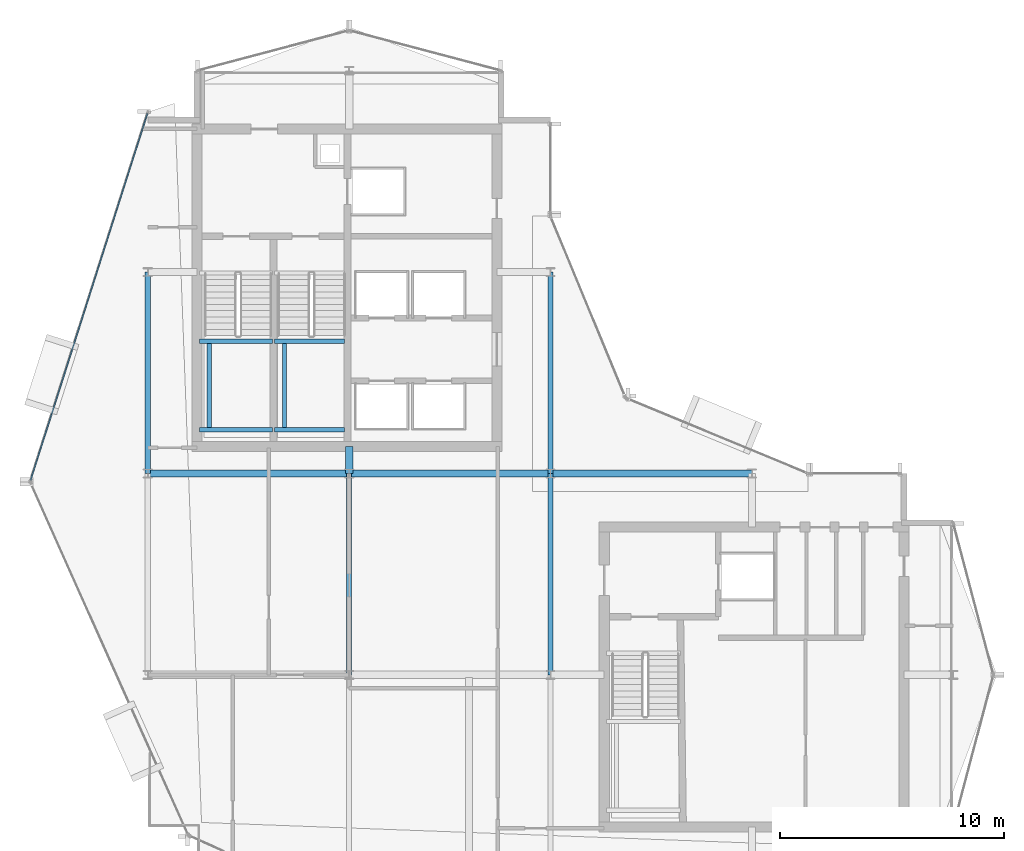
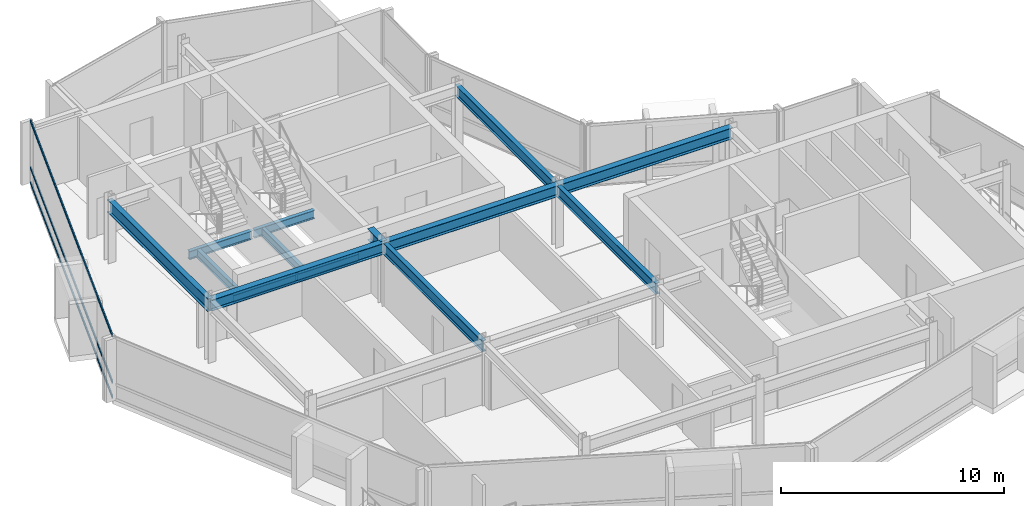
# One storey, part 7 of 19: 14 beams, 3 members, 1 element without a shape of its own.
"""IFC4 building model written with IfcOpenShell, lengths in metres."""

from ifc_helpers import new_model, si_unit, direction, frame, origin, origin_2d, place, context, subcontext, project, spatial, hollow_rectangle, i_section, extrude, material, layer, layer_set, material_profile, profile_set, type_object, element, aggregate, save


model = new_model("IFC4")

# Units and contexts
model_context = context("Model", 3, precision=1e-05, world=origin(), true_north=direction((0.0, 1.0)))
body_context = subcontext(model_context, "Body", "Model", "MODEL_VIEW")
ifc_project = project(units=[si_unit("LENGTHUNIT", "METRE"), si_unit("AREAUNIT", "SQUARE_METRE"), si_unit("VOLUMEUNIT", "CUBIC_METRE"), si_unit("PLANEANGLEUNIT", "RADIAN"), si_unit("MASSUNIT", "GRAM", prefix="KILO")], contexts=[model_context])

# Site, building, storey
site_placement = place(None, origin())
site = spatial("IfcSite", under=ifc_project, at=site_placement, CompositionType="ELEMENT")
building_placement = place(site_placement, origin())
building = spatial("IfcBuilding", under=site, at=building_placement, Name="Solvaryn Broadcast Tower", CompositionType="ELEMENT")
storey_placement = place(building_placement, frame((0.0, 0.0, 274.10009765625)))
storey = spatial("IfcBuildingStorey", under=building, at=storey_placement, Name="L69", CompositionType="ELEMENT", Elevation=274.10009765625)

# Beams
ifc_material_1 = material(Name="Steel ASTM A992 Grade 50", Category="steel")
ifc_material_profile_1 = material_profile(ifc_material_1, i_section(OverallWidth=0.323974609375, OverallDepth=0.611083984375, WebThickness=0.0126953125, FlangeThickness=0.01904296875, FilletRadius=0.014892578125, at=origin_2d()))
ifc_profile_set_1 = profile_set([ifc_material_profile_1], Name="Steel ASTM A992 Grade 50")
beam_type_1 = type_object("IfcBeamType", Name="BM-B1-W24X104", PredefinedType="BEAM", material=ifc_profile_set_1)
for number, where, z_axis, x_axis, name in (
    (1, (9.0, 27.0, 3.114501953125), (1.0, 0.0, 0.0), (0.0, 1.0, 0.0), "L69 Primary Beam X (9-18 @ Y=27)"),
    (2, (18.0, 27.0, 3.114501953125), (1.0, 0.0, 0.0), (0.0, 1.0, 0.0), "L69 Primary Beam X (18-27 @ Y=27)"),
    (3, (27.0, 27.0, 3.114501953125), (1.0, 0.0, 0.0), (0.0, 1.0, 0.0), "L69 Primary Beam X (27-36 @ Y=27)"),
):
    element("IfcBeam", number, at=place(storey_placement, frame(where, z_axis=z_axis, x_axis=x_axis)), inside=storey, type_object=beam_type_1, Name=name, PredefinedType="BEAM", context=body_context, shape_type="SweptSolid", body=[
        extrude(i_section(OverallWidth=0.323974609375, OverallDepth=0.611083984375, WebThickness=0.0126953125, FlangeThickness=0.01904296875, FilletRadius=0.014892578125, at=origin_2d()), origin(), (0.0, 0.0, 1.0), 9.0),
    ])
beam_1_placement = place(storey_placement, frame((18.0, 27.0, 3.114501953125), z_axis=(0.0, 1.0, 0.0), x_axis=(-1.0, 0.0, 0.0)))
element("IfcBeam", 4, at=beam_1_placement, inside=storey, type_object=beam_type_1, Name="L69 Core Tie Beam CTW4", PredefinedType="BEAM", context=body_context, shape_type="SweptSolid", body=[
    extrude(i_section(OverallWidth=0.323974609375, OverallDepth=0.611083984375, WebThickness=0.0126953125, FlangeThickness=0.01904296875, FilletRadius=0.014892578125, at=origin_2d()), origin(), (0.0, 0.0, 1.0), 1.199951171875),
])
ifc_material_2 = material(Name="Steel ASTM A992 Grade 50", Category="steel")
ifc_material_profile_2 = material_profile(ifc_material_2, i_section(OverallWidth=0.22802734375, OverallDepth=0.60791015625, WebThickness=0.01123046875, FlangeThickness=0.017333984375, FilletRadius=0.014892578125, at=origin_2d()))
ifc_profile_set_2 = profile_set([ifc_material_profile_2], Name="Steel ASTM A992 Grade 50")
beam_type_2 = type_object("IfcBeamType", Name="BM-B2-W24X76", PredefinedType="BEAM", material=ifc_profile_set_2)
for number, where, z_axis, x_axis, name in (
    (5, (18.0, 18.0, 3.115966796875), (0.0, 1.0, 0.0), (-1.0, 0.0, 0.0), "L69 Primary Beam Y (18-27 @ X=18)"),
    (6, (27.0, 18.0, 3.115966796875), (0.0, 1.0, 0.0), (-1.0, 0.0, 0.0), "L69 Primary Beam Y (18-27 @ X=27)"),
    (7, (27.0, 27.0, 3.115966796875), (0.0, 1.0, 0.0), (-1.0, 0.0, 0.0), "L69 Primary Beam Y (27-36 @ X=27)"),
):
    element("IfcBeam", number, at=place(storey_placement, frame(where, z_axis=z_axis, x_axis=x_axis)), inside=storey, type_object=beam_type_2, Name=name, PredefinedType="BEAM", context=body_context, shape_type="SweptSolid", body=[
        extrude(i_section(OverallWidth=0.22802734375, OverallDepth=0.60791015625, WebThickness=0.01123046875, FlangeThickness=0.017333984375, FilletRadius=0.014892578125, at=origin_2d()), origin(), (0.0, 0.0, 1.0), 9.0),
    ])
ifc_material_3 = material(Name="Steel ASTM A992 Grade 50", Category="steel")
ifc_material_profile_3 = material_profile(ifc_material_3, i_section(OverallWidth=0.18994140625, OverallDepth=0.45703125, WebThickness=0.009033203125, FlangeThickness=0.014404296875, FilletRadius=0.011962890625, at=origin_2d()))
ifc_profile_set_3 = profile_set([ifc_material_profile_3], Name="Steel ASTM A992 Grade 50")
beam_type_3 = type_object("IfcBeamType", Name="BM-B4-W18X50", PredefinedType="BEAM", material=ifc_profile_set_3)
for number, where, z_axis, x_axis, name in (
    (8, (11.300048828125, 28.949951171875, 1.42138671875), (1.0, 0.0, 0.0), (0.0, 1.0, 0.0), "L69 ST1 Landing Support Beam 1A"),
    (9, (11.300048828125, 32.909912109375, 1.42138671875), (1.0, 0.0, 0.0), (0.0, 1.0, 0.0), "L69 ST1 Landing Support Beam 1B"),
):
    element("IfcBeam", number, at=place(storey_placement, frame(where, z_axis=z_axis, x_axis=x_axis)), inside=storey, type_object=beam_type_3, Name=name, PredefinedType="BEAM", context=body_context, shape_type="SweptSolid", body=[
        extrude(i_section(OverallWidth=0.18994140625, OverallDepth=0.45703125, WebThickness=0.009033203125, FlangeThickness=0.014404296875, FilletRadius=0.011962890625, at=origin_2d()), origin(), (0.0, 0.0, 1.0), 3.280029296875),
    ])
beam_2_placement = place(storey_placement, frame((11.75, 28.949951171875, 1.42138671875), z_axis=(0.0, 1.0, 0.0), x_axis=(-1.0, 0.0, 0.0)))
element("IfcBeam", 10, at=beam_2_placement, inside=storey, type_object=beam_type_3, Name="L69 ST1 Landing Cross Stringer 1C", PredefinedType="BEAM", context=body_context, shape_type="SweptSolid", body=[
    extrude(i_section(OverallWidth=0.18994140625, OverallDepth=0.45703125, WebThickness=0.009033203125, FlangeThickness=0.014404296875, FilletRadius=0.011962890625, at=origin_2d()), origin(), (0.0, 0.0, 1.0), 3.9599609375),
])
for number, where, z_axis, x_axis, name in (
    (11, (14.659912109375, 28.949951171875, 1.42138671875), (1.0, 0.0, 0.0), (0.0, 1.0, 0.0), "L69 ST2 Landing Support Beam 1A"),
    (12, (14.659912109375, 32.909912109375, 1.42138671875), (1.0, 0.0, 0.0), (0.0, 1.0, 0.0), "L69 ST2 Landing Support Beam 1B"),
):
    element("IfcBeam", number, at=place(storey_placement, frame(where, z_axis=z_axis, x_axis=x_axis)), inside=storey, type_object=beam_type_3, Name=name, PredefinedType="BEAM", context=body_context, shape_type="SweptSolid", body=[
        extrude(i_section(OverallWidth=0.18994140625, OverallDepth=0.45703125, WebThickness=0.009033203125, FlangeThickness=0.014404296875, FilletRadius=0.011962890625, at=origin_2d()), origin(), (0.0, 0.0, 1.0), 3.14013671875),
    ])
beam_3_placement = place(storey_placement, frame((15.110107421875, 28.949951171875, 1.42138671875), z_axis=(0.0, 1.0, 0.0), x_axis=(-1.0, 0.0, 0.0)))
element("IfcBeam", 13, at=beam_3_placement, inside=storey, type_object=beam_type_3, Name="L69 ST2 Landing Cross Stringer 1C", PredefinedType="BEAM", context=body_context, shape_type="SweptSolid", body=[
    extrude(i_section(OverallWidth=0.18994140625, OverallDepth=0.45703125, WebThickness=0.009033203125, FlangeThickness=0.014404296875, FilletRadius=0.011962890625, at=origin_2d()), origin(), (0.0, 0.0, 1.0), 3.9599609375),
])
ifc_material_4 = material(Name="Steel ASTM A992 Grade 50", Category="steel")
ifc_material_profile_4 = material_profile(ifc_material_4, i_section(OverallWidth=0.256103515625, OverallDepth=0.693115234375, WebThickness=0.014404296875, FlangeThickness=0.023681640625, FilletRadius=0.01611328125, at=origin_2d()))
ifc_profile_set_4 = profile_set([ifc_material_profile_4], Name="Steel ASTM A992 Grade 50")
beam_type_4 = type_object("IfcBeamType", Name="BM-SP3-W27X114", PredefinedType="USERDEFINED", material=ifc_profile_set_4)
beam_4_placement = place(storey_placement, frame((9.0, 27.0, 3.073486328125), z_axis=(0.0, 1.0, 0.0), x_axis=(-1.0, 0.0, 0.0)))
element("IfcBeam", 14, at=beam_4_placement, inside=storey, type_object=beam_type_4, Name="L69 Spandrel Beam Y (27-36 @ X=9)", ObjectType="SPANDREL", PredefinedType="USERDEFINED", context=body_context, shape_type="SweptSolid", body=[
    extrude(i_section(OverallWidth=0.256103515625, OverallDepth=0.693115234375, WebThickness=0.014404296875, FlangeThickness=0.023681640625, FilletRadius=0.01611328125, at=origin_2d()), origin(), (0.0, 0.0, 1.0), 9.0),
])

# Curtain wall, members
ifc_material_5 = material(Name="Aluminium and Terracotta Unitised Curtain Wall", Category="masonry")
ifc_layer = layer(ifc_material_5, 0.199951171875)
ifc_layer_set = layer_set([ifc_layer], Name="CW-SYS2-LOWMID")
curtain_wall_type = type_object("IfcCurtainWallType", Name="CW-SYS2-LOWMID", PredefinedType="NOTDEFINED", material=ifc_layer_set)
curtain_wall_placement = place(storey_placement, origin())
curtain_wall = element("IfcCurtainWall", 15, at=curtain_wall_placement, inside=storey, type_object=curtain_wall_type, Name="L69 Curtain Wall DR1", PredefinedType="NOTDEFINED")
ifc_material_6 = material(Name="Anodised Aluminium 6063-T6", Category="aluminium")
ifc_material_profile_5 = material_profile(ifc_material_6, hollow_rectangle(XDim=0.06494140625, YDim=0.14990234375, WallThickness=0.00390625, InnerFilletRadius=0.00390625, OuterFilletRadius=0.008056640625, at=origin_2d()))
ifc_profile_set_5 = profile_set([ifc_material_profile_5], Name="Anodised Aluminium 6063-T6")
member_type = type_object("IfcMemberType", Name="CW-TRN-150", PredefinedType="USERDEFINED", material=ifc_profile_set_5)
member_1_placement = place(storey_placement, frame((8.981689453125, 43.091796875, 0.02978515625), z_axis=(-0.303616405252, -0.952794352661, 0.0), x_axis=(0.952794352661, -0.303616405252, 0.0)))
member_1 = element("IfcMember", 16, at=member_1_placement, type_object=member_type, Name="CWS2 transom 1.1", ObjectType="TRANSOM", PredefinedType="USERDEFINED", context=body_context, shape_type="SweptSolid", body=[
    extrude(hollow_rectangle(XDim=0.06494140625, YDim=0.14990234375, WallThickness=0.00390625, InnerFilletRadius=0.00390625, OuterFilletRadius=0.008056640625, at=origin_2d()), origin(), (0.0, 0.0, 1.0), 17.211181640625),
])
member_2_placement = place(storey_placement, frame((8.981689453125, 43.091796875, 0.849853515625), z_axis=(-0.303616405252, -0.952794352661, 0.0), x_axis=(0.952794352661, -0.303616405252, 0.0)))
member_2 = element("IfcMember", 17, at=member_2_placement, type_object=member_type, Name="CWS2 transom 1.2", ObjectType="TRANSOM", PredefinedType="USERDEFINED", context=body_context, shape_type="SweptSolid", body=[
    extrude(hollow_rectangle(XDim=0.06494140625, YDim=0.14990234375, WallThickness=0.00390625, InnerFilletRadius=0.00390625, OuterFilletRadius=0.008056640625, at=origin_2d()), origin(), (0.0, 0.0, 1.0), 17.211181640625),
])
member_3_placement = place(storey_placement, frame((8.981689453125, 43.091796875, 3.389892578125), z_axis=(-0.303616405252, -0.952794352661, 0.0), x_axis=(0.952794352661, -0.303616405252, 0.0)))
member_3 = element("IfcMember", 18, at=member_3_placement, type_object=member_type, Name="CWS2 transom 1.3", ObjectType="TRANSOM", PredefinedType="USERDEFINED", context=body_context, shape_type="SweptSolid", body=[
    extrude(hollow_rectangle(XDim=0.06494140625, YDim=0.14990234375, WallThickness=0.00390625, InnerFilletRadius=0.00390625, OuterFilletRadius=0.008056640625, at=origin_2d()), origin(), (0.0, 0.0, 1.0), 17.211181640625),
])
aggregate(curtain_wall, [member_1, member_2, member_3])

save(model, "model.ifc")
